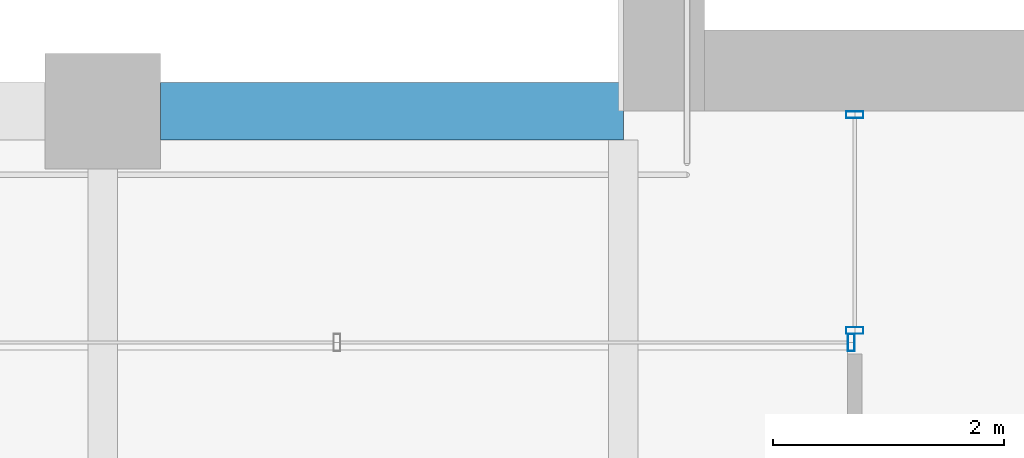
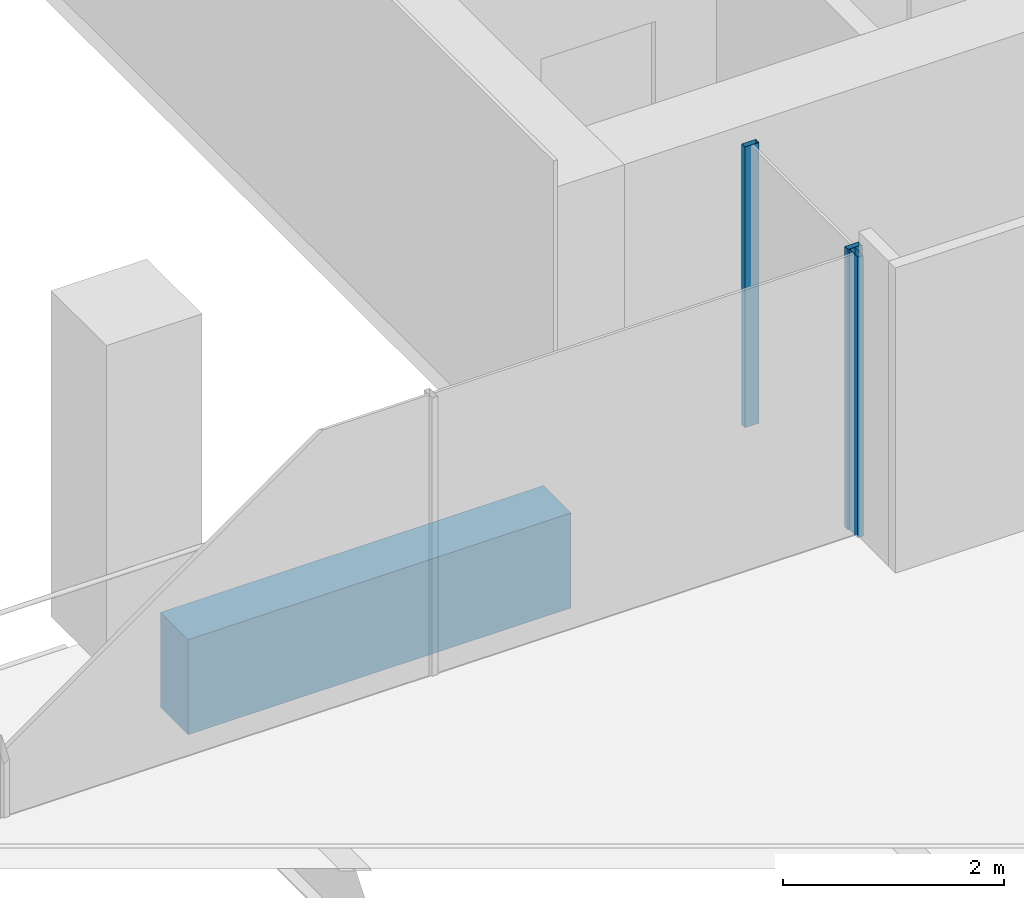
# One storey, part 6 of 46: 3 members, 1 beam, 2 elements without a shape of their own.
"""IFC4 building model written with IfcOpenShell, lengths in metres."""

import ifcopenshell
import ifcopenshell.guid

model = None  # the IFC model being written
_history = None  # IfcOwnerHistory: only IFC2X3 demands one
_inside = {}  # id of a spatial element -> (the spatial element, [elements in it])
_under = {}  # id of a project, library or spatial element -> (it, [spatial elements below it])
_declared = {}  # id of a project -> (the project, [libraries it declares])
_typed = {}  # id of a type object -> (the type object, [elements of that type])
_made_of = {}  # id of a material, layer set ... -> (it, [elements and type objects made of it])


def new_model(schema):
    """Start an empty IFC model of exactly this schema.

    Asked for "IFC4X3", IfcOpenShell would pick the latest addendum, in which some entities
    have other attributes; the version numbers below select the first issue.
    IFC2X3 requires an IfcOwnerHistory on every rooted entity: one is made here for all.
    """
    global model, _history
    if schema == "IFC4X3":
        model = ifcopenshell.file(schema_version=(4, 3, 0, 0))
    else:
        model = ifcopenshell.file(schema=schema)
    _inside.clear()
    _under.clear()
    _declared.clear()
    _typed.clear()
    _made_of.clear()
    _history = None
    if model.schema == "IFC2X3":
        org = make("IfcOrganization", Name="unknown")
        user = make(
            "IfcPersonAndOrganization",
            ThePerson=make("IfcPerson", FamilyName="unknown"),
            TheOrganization=org,
        )
        app = make(
            "IfcApplication",
            ApplicationDeveloper=org,
            Version="unknown",
            ApplicationFullName="unknown",
            ApplicationIdentifier="unknown",
        )
        _history = make(
            "IfcOwnerHistory",
            OwningUser=user,
            OwningApplication=app,
            ChangeAction="ADDED",
            CreationDate=0,
        )
    return model


def make(cls, **values):
    """One entity of the class cls with the attributes given. An attribute that is None is left unset."""
    return model.create_entity(
        cls, **{name: value for name, value in values.items() if value is not None}
    )


def rooted(cls, **values):
    """An entity with a GlobalId (a new one), such as an element, a storey or a relation."""
    return make(cls, GlobalId=ifcopenshell.guid.new(), OwnerHistory=_history, **values)


def si_unit(unit_type, name, prefix=None):
    """IfcSIUnit, for example si_unit("LENGTHUNIT", "METRE", prefix="MILLI")."""
    return make("IfcSIUnit", UnitType=unit_type, Prefix=prefix, Name=name)


def assignment(units):
    """IfcUnitAssignment: the units of a project."""
    return None if units is None else make("IfcUnitAssignment", Units=units)


def point(xyz):
    """IfcCartesianPoint."""
    return None if xyz is None else make("IfcCartesianPoint", Coordinates=xyz)


def direction(xyz):
    """IfcDirection."""
    return None if xyz is None else make("IfcDirection", DirectionRatios=xyz)


def frame(location, z_axis=None, x_axis=None):
    """IfcAxis2Placement3D, a coordinate frame: its origin and axes. An axis left out is left unset."""
    return make(
        "IfcAxis2Placement3D",
        Location=point(location),
        Axis=direction(z_axis),
        RefDirection=direction(x_axis),
    )


def frame_2d(location, x_axis=None):
    """IfcAxis2Placement2D, a coordinate frame in the plane: its origin and x axis."""
    return make(
        "IfcAxis2Placement2D", Location=point(location), RefDirection=direction(x_axis)
    )


def origin():
    """The frame at (0, 0, 0) with its axes left unset."""
    return frame((0.0, 0.0, 0.0))


def origin_2d():
    """The frame at (0, 0) in the plane with its x axis left unset."""
    return frame_2d((0.0, 0.0))


def place(relative_to, where):
    """IfcLocalPlacement: puts the frame where relative to a parent placement (None: the world)."""
    return make(
        "IfcLocalPlacement", PlacementRelTo=relative_to, RelativePlacement=where
    )


def context(
    kind, dimensions, precision=None, world=None, true_north=None, identifier=None
):
    """IfcGeometricRepresentationContext, for example the 3D "Model" context."""
    return make(
        "IfcGeometricRepresentationContext",
        ContextIdentifier=identifier,
        ContextType=kind,
        CoordinateSpaceDimension=dimensions,
        Precision=precision,
        WorldCoordinateSystem=world,
        TrueNorth=true_north,
    )


def subcontext(parent, identifier, kind, view, scale=None):
    """IfcGeometricRepresentationSubContext, for example "Body" below "Model"."""
    return make(
        "IfcGeometricRepresentationSubContext",
        ContextIdentifier=identifier,
        ContextType=kind,
        ParentContext=parent,
        TargetScale=scale,
        TargetView=view,
    )


def project(units=None, contexts=None):
    """IfcProject with its units and contexts."""
    return rooted(
        "IfcProject",
        Name="project",
        RepresentationContexts=contexts,
        UnitsInContext=assignment(units),
    )


def spatial(cls, under=None, at=None, **own):
    """A site, building, storey or space (cls), placed at a placement, below another one or the project."""
    s = rooted(cls, ObjectPlacement=at, **own)
    if under is not None:
        _under.setdefault(under.id(), (under, []))[1].append(s)
    return s


def profile(cls, at=None, kind="AREA", **sizes):
    """A parametric profile (cls). Its sizes go by their IFC names, for example OverallWidth=200.0."""
    return make(cls, ProfileType=kind, Position=at, **sizes)


def rectangle(**sizes):
    """IfcRectangleProfileDef."""
    return profile("IfcRectangleProfileDef", **sizes)


def hollow_rectangle(**sizes):
    """IfcRectangleHollowProfileDef."""
    return profile("IfcRectangleHollowProfileDef", **sizes)


def extrude(swept, where, along, depth):
    """IfcExtrudedAreaSolid: the profile swept, set in the frame where, extruded along a direction by depth."""
    return make(
        "IfcExtrudedAreaSolid",
        SweptArea=swept,
        Position=where,
        ExtrudedDirection=direction(along),
        Depth=depth,
    )


def shape(context_of_items, identifier, shape_type, items):
    """IfcShapeRepresentation: the items that make up one representation, for example the "Body"."""
    return make(
        "IfcShapeRepresentation",
        ContextOfItems=context_of_items,
        RepresentationIdentifier=identifier,
        RepresentationType=shape_type,
        Items=items,
    )


def material(Name=None, Category=None):
    """IfcMaterial."""
    return make("IfcMaterial", Name=Name, Category=Category)


def material_profile(
    of_material, cross_section, Name=None, Category=None, Priority=None
):
    """IfcMaterialProfile: a cross section and its material."""
    return make(
        "IfcMaterialProfile",
        Name=Name,
        Material=of_material,
        Profile=cross_section,
        Priority=Priority,
        Category=Category,
    )


def profile_set(profiles, Name=None, composite=None):
    """IfcMaterialProfileSet."""
    return make(
        "IfcMaterialProfileSet",
        Name=Name,
        MaterialProfiles=profiles,
        CompositeProfile=composite,
    )


def made_of(thing, what):
    """Note that an element or type object is made of a material, layer set ...; save() writes the relation."""
    if what is not None:
        _made_of.setdefault(what.id(), (what, []))[1].append(thing)
    return thing


def type_object(cls, material=None, **own):
    """A type object (cls), such as IfcWallType, which elements share."""
    return made_of(rooted(cls, **own), material)


def element(
    cls,
    number,
    at=None,
    inside=None,
    cuts=None,
    type_object=None,
    material=None,
    context=None,
    identifier="Body",
    shape_type=None,
    held_by="IfcProductDefinitionShape",
    body=None,
    shapes=None,
    **own,
):
    """One element of the class cls, such as IfcWall. Its Tag is "e" and its number.

    at: its placement. inside: the storey or other place that contains it. cuts: it is an
    opening in that element (IfcRelVoidsElement). A single representation is given by context,
    identifier, shape_type and body (its items); several are given by shapes. held_by: the class
    of the entity that holds the representations. save() writes the other relations.
    """
    e = rooted(cls, Tag="e%d" % number, ObjectPlacement=at, **own)
    if body is not None:
        shapes = [shape(context, identifier, shape_type, body)]
    if shapes is not None:
        e.Representation = make(held_by, Representations=shapes)
    if inside is not None:
        _inside.setdefault(inside.id(), (inside, []))[1].append(e)
    if cuts is not None:
        rooted(
            "IfcRelVoidsElement", RelatingBuildingElement=cuts, RelatedOpeningElement=e
        )
    if type_object is not None:
        _typed.setdefault(type_object.id(), (type_object, []))[1].append(e)
    return made_of(e, material)


def aggregate(whole, parts):
    """IfcRelAggregates: a whole, such as a stair, and the parts it consists of."""
    return rooted("IfcRelAggregates", RelatingObject=whole, RelatedObjects=parts)


def save(model, path):
    """Write the relations noted so far, then the file.

    IfcRelAggregates (storeys below a building ...), IfcRelContainedInSpatialStructure (elements
    in a storey), IfcRelDefinesByType, IfcRelAssociatesMaterial and IfcRelDeclares: one each for
    every whole, place, type object, material and project.
    """
    for whole, parts in _under.values():
        aggregate(whole, parts)
    for where, things in _inside.values():
        rooted(
            "IfcRelContainedInSpatialStructure",
            RelatedElements=things,
            RelatingStructure=where,
        )
    for kind, things in _typed.values():
        rooted("IfcRelDefinesByType", RelatedObjects=things, RelatingType=kind)
    for what, things in _made_of.values():
        rooted("IfcRelAssociatesMaterial", RelatedObjects=things, RelatingMaterial=what)
    for by, libraries in _declared.values():
        rooted("IfcRelDeclares", RelatingContext=by, RelatedDefinitions=libraries)
    model.write(path)


model = new_model("IFC4")

# Units and contexts
model_context = context("Model", 3, precision=1e-05, world=origin(), true_north=direction((0.0, 1.0)))
body_context = subcontext(model_context, "Body", "Model", "MODEL_VIEW")
ifc_project = project(units=[si_unit("LENGTHUNIT", "METRE"), si_unit("AREAUNIT", "SQUARE_METRE"), si_unit("VOLUMEUNIT", "CUBIC_METRE"), si_unit("PLANEANGLEUNIT", "RADIAN"), si_unit("MASSUNIT", "GRAM", prefix="KILO")], contexts=[model_context])

# Site, building, storey
site_placement = place(None, origin())
site = spatial("IfcSite", under=ifc_project, at=site_placement, CompositionType="ELEMENT")
building_placement = place(site_placement, origin())
building = spatial("IfcBuilding", under=site, at=building_placement, Name="Altepetl Exchange Towers", CompositionType="ELEMENT")
storey_placement = place(building_placement, frame((0.0, 0.0, 135.199951171875)))
storey = spatial("IfcBuildingStorey", under=building, at=storey_placement, Name="L33", CompositionType="ELEMENT", Elevation=135.199951171875)

# Curtain wall, members
ifc_material_1 = material(Name="Aluminium 6063-T6 glazing", Category="aluminium")
curtain_wall_type = type_object("IfcCurtainWallType", Name="Loggia glazing system", PredefinedType="NOTDEFINED", material=ifc_material_1)
curtain_wall_1_placement = place(storey_placement, origin())
curtain_wall_1 = element("IfcCurtainWall", 1, at=curtain_wall_1_placement, inside=storey, type_object=curtain_wall_type, Name="CW1 run", PredefinedType="NOTDEFINED")
ifc_material_2 = material(Name="Aluminium 6063-T6", Category="aluminium")
ifc_material_profile_1 = material_profile(ifc_material_2, hollow_rectangle(XDim=0.06005859375, YDim=0.14990234375, WallThickness=0.0029296875, at=origin_2d()), Name="Mullion 60x150 aluminium")
ifc_profile_set_1 = profile_set([ifc_material_profile_1], Name="Aluminium 6063-T6")
member_type = type_object("IfcMemberType", Name="Mullion 60x150 aluminium", PredefinedType="MULLION", material=ifc_profile_set_1)
member_1_placement = place(storey_placement, frame((42.5, 40.469970703125, 0.0), z_axis=(0.0, 0.0, 1.0), x_axis=(0.0, -1.0, 0.0)))
member_1 = element("IfcMember", 2, at=member_1_placement, type_object=member_type, Name="MU1 mullion", PredefinedType="MULLION", context=body_context, shape_type="SweptSolid", body=[
    extrude(hollow_rectangle(XDim=0.06005859375, YDim=0.14990234375, WallThickness=0.0029296875, at=origin_2d()), origin(), (0.0, 0.0, 1.0), 3.10009765625),
])
member_2_placement = place(storey_placement, frame((42.5, 38.60498046875, 0.0), z_axis=(0.0, 0.0, 1.0), x_axis=(0.0, -1.0, 0.0)))
member_2 = element("IfcMember", 3, at=member_2_placement, type_object=member_type, Name="MU1 mullion", PredefinedType="MULLION", context=body_context, shape_type="SweptSolid", body=[
    extrude(hollow_rectangle(XDim=0.06005859375, YDim=0.14990234375, WallThickness=0.0029296875, at=origin_2d()), origin(), (0.0, 0.0, 1.0), 3.10009765625),
])
aggregate(curtain_wall_1, [member_1, member_2])

# Curtain wall, member
curtain_wall_2_placement = place(storey_placement, origin())
curtain_wall_2 = element("IfcCurtainWall", 4, at=curtain_wall_2_placement, inside=storey, type_object=curtain_wall_type, Name="CW1 run", PredefinedType="NOTDEFINED")
member_3_placement = place(storey_placement, frame((42.469970703125, 38.5, 0.0), z_axis=(0.0, 0.0, 1.0), x_axis=(-1.0, 0.0, 0.0)))
member_3 = element("IfcMember", 5, at=member_3_placement, type_object=member_type, Name="MU1 mullion", PredefinedType="MULLION", context=body_context, shape_type="SweptSolid", body=[
    extrude(hollow_rectangle(XDim=0.06005859375, YDim=0.14990234375, WallThickness=0.0029296875, at=origin_2d()), origin(), (0.0, 0.0, 1.0), 3.10009765625),
])
aggregate(curtain_wall_2, [member_3])

# Beam
ifc_material_3 = material(Name="Concrete C50/60 precast with tezontle facing", Category="concrete")
ifc_material_profile_2 = material_profile(ifc_material_3, rectangle(XDim=0.5, YDim=1.050048828125, at=origin_2d()), Name="500 x 1050")
ifc_profile_set_2 = profile_set([ifc_material_profile_2], Name="Concrete C50/60 precast with tezontle facing")
beam_type = type_object("IfcBeamType", Name="Spandrel beam 500x1050 tezontle", PredefinedType="SPANDREL", material=ifc_profile_set_2)
beam_placement = place(storey_placement, frame((40.5, 40.5, -0.675048828125), z_axis=(-1.0, 0.0, 0.0), x_axis=(0.0, -1.0, 0.0)))
element("IfcBeam", 6, at=beam_placement, inside=storey, type_object=beam_type, Name="sp:A:L33:033", PredefinedType="SPANDREL", context=body_context, shape_type="SweptSolid", body=[
    extrude(rectangle(XDim=0.5, YDim=1.050048828125, at=origin_2d()), origin(), (0.0, 0.0, 1.0), 4.0),
])

save(model, "model.ifc")
